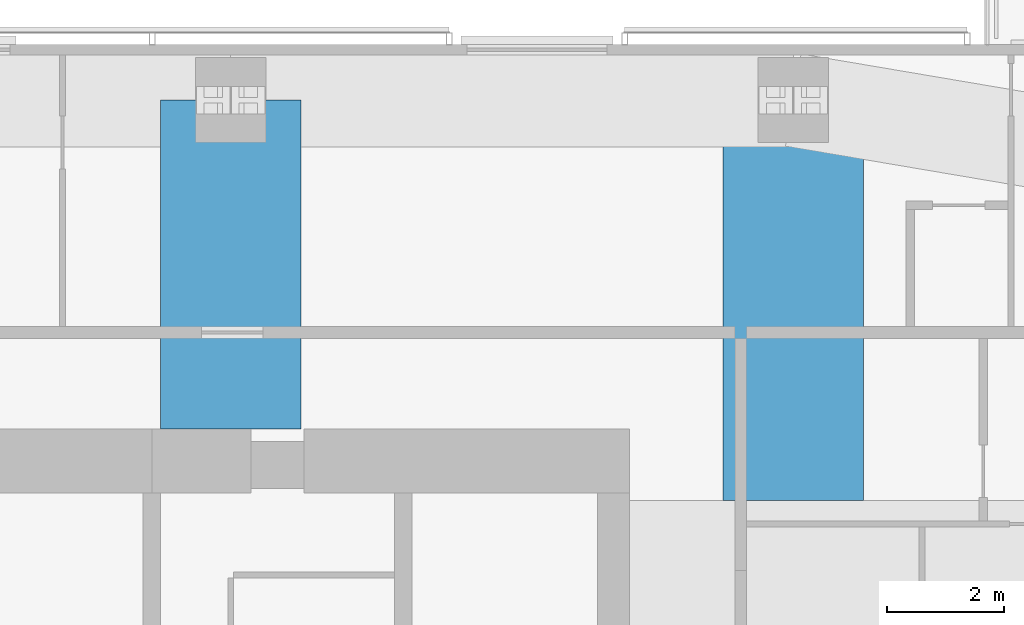
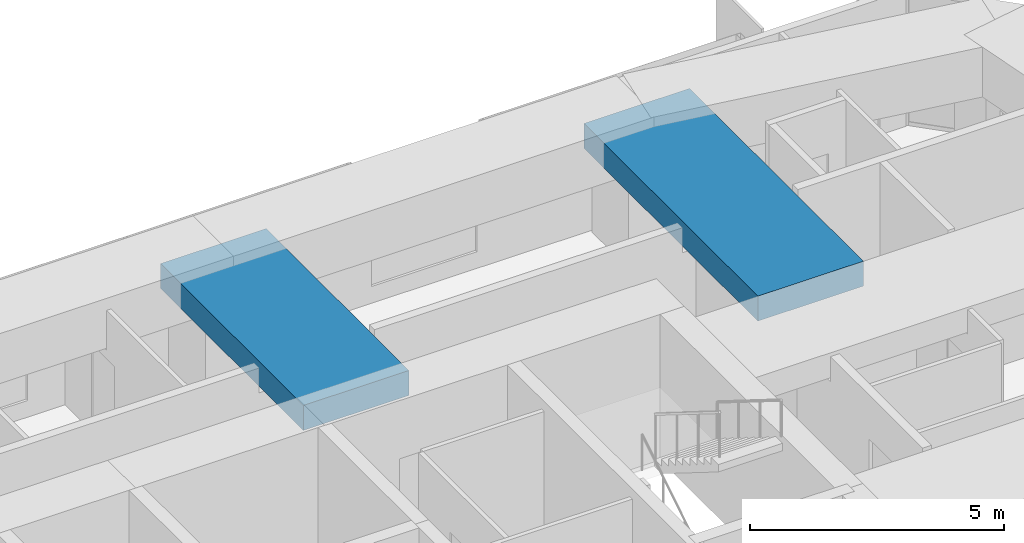
# One storey, part 7 of 20: 2 beams.
"""IFC4 building model written with IfcOpenShell, lengths in metres."""

from ifc_helpers import new_model, si_unit, direction, frame, origin, origin_2d, place, context, subcontext, project, spatial, rectangle, extrude, material, material_profile, profile_set, type_object, element, save


model = new_model("IFC4")

# Units and contexts
model_context = context("Model", 3, precision=1e-05, world=origin(), true_north=direction((0.0, 1.0)))
body_context = subcontext(model_context, "Body", "Model", "MODEL_VIEW")
ifc_project = project(units=[si_unit("LENGTHUNIT", "METRE"), si_unit("AREAUNIT", "SQUARE_METRE"), si_unit("VOLUMEUNIT", "CUBIC_METRE"), si_unit("PLANEANGLEUNIT", "RADIAN"), si_unit("MASSUNIT", "GRAM", prefix="KILO")], contexts=[model_context])

# Site, building, storey
site_placement = place(None, origin())
site = spatial("IfcSite", under=ifc_project, at=site_placement, CompositionType="ELEMENT")
building_placement = place(site_placement, origin())
building = spatial("IfcBuilding", under=site, at=building_placement, Name="Jalousie Tower", CompositionType="ELEMENT")
storey_placement = place(building_placement, frame((0.0, 0.0, 242.449951171875)))
storey = spatial("IfcBuildingStorey", under=building, at=storey_placement, Name="L66", CompositionType="ELEMENT", Elevation=242.449951171875)

# Beams
ifc_material = material(Name="Concrete f'c 40 MPa", Category="concrete")
ifc_material_profile = material_profile(ifc_material, rectangle(XDim=2.39990234375, YDim=0.60009765625, at=origin_2d()), Name="RC 2400x600")
ifc_profile_set = profile_set([ifc_material_profile], Name="Concrete f'c 40 MPa")
beam_type = type_object("IfcBeamType", Name="RC BEAM 2400x600", PredefinedType="BEAM", material=ifc_profile_set)
beam_1_placement = place(storey_placement, frame((37.25, 33.050048828125, 2.9599609375), z_axis=(0.0, -1.0, 0.0), x_axis=(1.0, 0.0, 0.0)))
element("IfcBeam", 1, at=beam_1_placement, inside=storey, type_object=beam_type, Name="Floor band beam under L67", PredefinedType="BEAM", context=body_context, shape_type="SweptSolid", body=[
    extrude(rectangle(XDim=2.39990234375, YDim=0.60009765625, at=origin_2d()), origin(), (0.0, 0.0, 1.0), 5.625),
])
beam_2_placement = place(storey_placement, frame((46.875, 33.050048828125, 2.9599609375), z_axis=(0.0, -1.0, 0.0), x_axis=(1.0, 0.0, 0.0)))
element("IfcBeam", 2, at=beam_2_placement, inside=storey, type_object=beam_type, Name="Floor band beam under L67", PredefinedType="BEAM", context=body_context, shape_type="SweptSolid", body=[
    extrude(rectangle(XDim=2.39990234375, YDim=0.60009765625, at=origin_2d()), origin(), (0.0, 0.0, 1.0), 6.85009765625),
])

save(model, "model.ifc")
